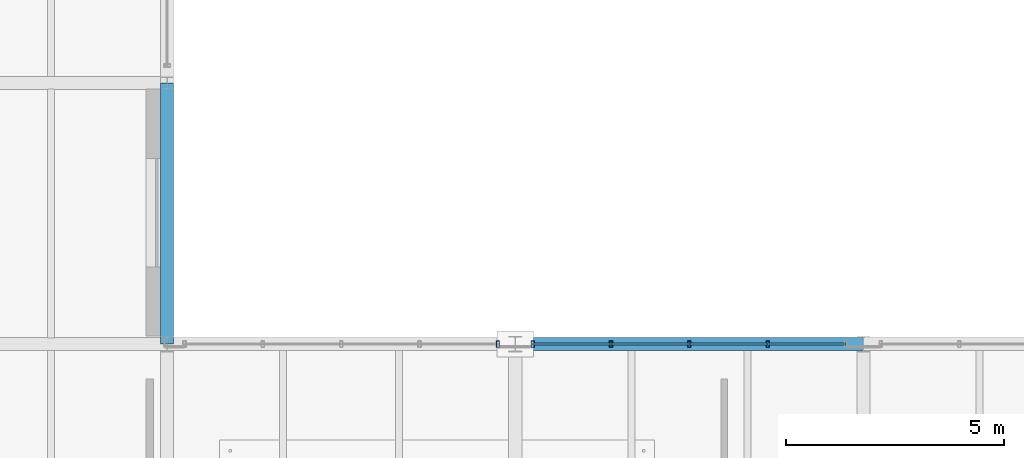
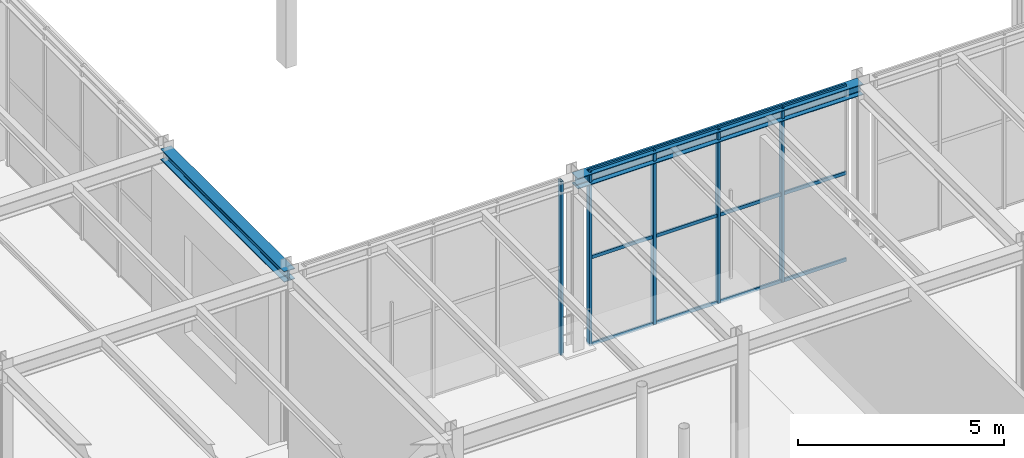
# One storey, part 36 of 129: 17 members, 2 beams, 2 elements without a shape of their own.
"""IFC4 building model written with IfcOpenShell, lengths in metres."""

import ifcopenshell
import ifcopenshell.guid

model = None  # the IFC model being written
_history = None  # IfcOwnerHistory: only IFC2X3 demands one
_inside = {}  # id of a spatial element -> (the spatial element, [elements in it])
_under = {}  # id of a project, library or spatial element -> (it, [spatial elements below it])
_declared = {}  # id of a project -> (the project, [libraries it declares])
_typed = {}  # id of a type object -> (the type object, [elements of that type])
_made_of = {}  # id of a material, layer set ... -> (it, [elements and type objects made of it])


def new_model(schema):
    """Start an empty IFC model of exactly this schema.

    Asked for "IFC4X3", IfcOpenShell would pick the latest addendum, in which some entities
    have other attributes; the version numbers below select the first issue.
    IFC2X3 requires an IfcOwnerHistory on every rooted entity: one is made here for all.
    """
    global model, _history
    if schema == "IFC4X3":
        model = ifcopenshell.file(schema_version=(4, 3, 0, 0))
    else:
        model = ifcopenshell.file(schema=schema)
    _inside.clear()
    _under.clear()
    _declared.clear()
    _typed.clear()
    _made_of.clear()
    _history = None
    if model.schema == "IFC2X3":
        org = make("IfcOrganization", Name="unknown")
        user = make(
            "IfcPersonAndOrganization",
            ThePerson=make("IfcPerson", FamilyName="unknown"),
            TheOrganization=org,
        )
        app = make(
            "IfcApplication",
            ApplicationDeveloper=org,
            Version="unknown",
            ApplicationFullName="unknown",
            ApplicationIdentifier="unknown",
        )
        _history = make(
            "IfcOwnerHistory",
            OwningUser=user,
            OwningApplication=app,
            ChangeAction="ADDED",
            CreationDate=0,
        )
    return model


def make(cls, **values):
    """One entity of the class cls with the attributes given. An attribute that is None is left unset."""
    return model.create_entity(
        cls, **{name: value for name, value in values.items() if value is not None}
    )


def rooted(cls, **values):
    """An entity with a GlobalId (a new one), such as an element, a storey or a relation."""
    return make(cls, GlobalId=ifcopenshell.guid.new(), OwnerHistory=_history, **values)


def si_unit(unit_type, name, prefix=None):
    """IfcSIUnit, for example si_unit("LENGTHUNIT", "METRE", prefix="MILLI")."""
    return make("IfcSIUnit", UnitType=unit_type, Prefix=prefix, Name=name)


def assignment(units):
    """IfcUnitAssignment: the units of a project."""
    return None if units is None else make("IfcUnitAssignment", Units=units)


def point(xyz):
    """IfcCartesianPoint."""
    return None if xyz is None else make("IfcCartesianPoint", Coordinates=xyz)


def direction(xyz):
    """IfcDirection."""
    return None if xyz is None else make("IfcDirection", DirectionRatios=xyz)


def frame(location, z_axis=None, x_axis=None):
    """IfcAxis2Placement3D, a coordinate frame: its origin and axes. An axis left out is left unset."""
    return make(
        "IfcAxis2Placement3D",
        Location=point(location),
        Axis=direction(z_axis),
        RefDirection=direction(x_axis),
    )


def frame_2d(location, x_axis=None):
    """IfcAxis2Placement2D, a coordinate frame in the plane: its origin and x axis."""
    return make(
        "IfcAxis2Placement2D", Location=point(location), RefDirection=direction(x_axis)
    )


def origin():
    """The frame at (0, 0, 0) with its axes left unset."""
    return frame((0.0, 0.0, 0.0))


def origin_2d():
    """The frame at (0, 0) in the plane with its x axis left unset."""
    return frame_2d((0.0, 0.0))


def place(relative_to, where):
    """IfcLocalPlacement: puts the frame where relative to a parent placement (None: the world)."""
    return make(
        "IfcLocalPlacement", PlacementRelTo=relative_to, RelativePlacement=where
    )


def context(
    kind, dimensions, precision=None, world=None, true_north=None, identifier=None
):
    """IfcGeometricRepresentationContext, for example the 3D "Model" context."""
    return make(
        "IfcGeometricRepresentationContext",
        ContextIdentifier=identifier,
        ContextType=kind,
        CoordinateSpaceDimension=dimensions,
        Precision=precision,
        WorldCoordinateSystem=world,
        TrueNorth=true_north,
    )


def subcontext(parent, identifier, kind, view, scale=None):
    """IfcGeometricRepresentationSubContext, for example "Body" below "Model"."""
    return make(
        "IfcGeometricRepresentationSubContext",
        ContextIdentifier=identifier,
        ContextType=kind,
        ParentContext=parent,
        TargetScale=scale,
        TargetView=view,
    )


def project(units=None, contexts=None):
    """IfcProject with its units and contexts."""
    return rooted(
        "IfcProject",
        Name="project",
        RepresentationContexts=contexts,
        UnitsInContext=assignment(units),
    )


def spatial(cls, under=None, at=None, **own):
    """A site, building, storey or space (cls), placed at a placement, below another one or the project."""
    s = rooted(cls, ObjectPlacement=at, **own)
    if under is not None:
        _under.setdefault(under.id(), (under, []))[1].append(s)
    return s


def profile(cls, at=None, kind="AREA", **sizes):
    """A parametric profile (cls). Its sizes go by their IFC names, for example OverallWidth=200.0."""
    return make(cls, ProfileType=kind, Position=at, **sizes)


def hollow_rectangle(**sizes):
    """IfcRectangleHollowProfileDef."""
    return profile("IfcRectangleHollowProfileDef", **sizes)


def i_section(**sizes):
    """IfcIShapeProfileDef."""
    return profile("IfcIShapeProfileDef", **sizes)


def extrude(swept, where, along, depth):
    """IfcExtrudedAreaSolid: the profile swept, set in the frame where, extruded along a direction by depth."""
    return make(
        "IfcExtrudedAreaSolid",
        SweptArea=swept,
        Position=where,
        ExtrudedDirection=direction(along),
        Depth=depth,
    )


def shape(context_of_items, identifier, shape_type, items):
    """IfcShapeRepresentation: the items that make up one representation, for example the "Body"."""
    return make(
        "IfcShapeRepresentation",
        ContextOfItems=context_of_items,
        RepresentationIdentifier=identifier,
        RepresentationType=shape_type,
        Items=items,
    )


def material(Name=None, Category=None):
    """IfcMaterial."""
    return make("IfcMaterial", Name=Name, Category=Category)


def material_profile(
    of_material, cross_section, Name=None, Category=None, Priority=None
):
    """IfcMaterialProfile: a cross section and its material."""
    return make(
        "IfcMaterialProfile",
        Name=Name,
        Material=of_material,
        Profile=cross_section,
        Priority=Priority,
        Category=Category,
    )


def profile_set(profiles, Name=None, composite=None):
    """IfcMaterialProfileSet."""
    return make(
        "IfcMaterialProfileSet",
        Name=Name,
        MaterialProfiles=profiles,
        CompositeProfile=composite,
    )


def made_of(thing, what):
    """Note that an element or type object is made of a material, layer set ...; save() writes the relation."""
    if what is not None:
        _made_of.setdefault(what.id(), (what, []))[1].append(thing)
    return thing


def type_object(cls, material=None, **own):
    """A type object (cls), such as IfcWallType, which elements share."""
    return made_of(rooted(cls, **own), material)


def element(
    cls,
    number,
    at=None,
    inside=None,
    cuts=None,
    type_object=None,
    material=None,
    context=None,
    identifier="Body",
    shape_type=None,
    held_by="IfcProductDefinitionShape",
    body=None,
    shapes=None,
    **own,
):
    """One element of the class cls, such as IfcWall. Its Tag is "e" and its number.

    at: its placement. inside: the storey or other place that contains it. cuts: it is an
    opening in that element (IfcRelVoidsElement). A single representation is given by context,
    identifier, shape_type and body (its items); several are given by shapes. held_by: the class
    of the entity that holds the representations. save() writes the other relations.
    """
    e = rooted(cls, Tag="e%d" % number, ObjectPlacement=at, **own)
    if body is not None:
        shapes = [shape(context, identifier, shape_type, body)]
    if shapes is not None:
        e.Representation = make(held_by, Representations=shapes)
    if inside is not None:
        _inside.setdefault(inside.id(), (inside, []))[1].append(e)
    if cuts is not None:
        rooted(
            "IfcRelVoidsElement", RelatingBuildingElement=cuts, RelatedOpeningElement=e
        )
    if type_object is not None:
        _typed.setdefault(type_object.id(), (type_object, []))[1].append(e)
    return made_of(e, material)


def aggregate(whole, parts):
    """IfcRelAggregates: a whole, such as a stair, and the parts it consists of."""
    return rooted("IfcRelAggregates", RelatingObject=whole, RelatedObjects=parts)


def save(model, path):
    """Write the relations noted so far, then the file.

    IfcRelAggregates (storeys below a building ...), IfcRelContainedInSpatialStructure (elements
    in a storey), IfcRelDefinesByType, IfcRelAssociatesMaterial and IfcRelDeclares: one each for
    every whole, place, type object, material and project.
    """
    for whole, parts in _under.values():
        aggregate(whole, parts)
    for where, things in _inside.values():
        rooted(
            "IfcRelContainedInSpatialStructure",
            RelatedElements=things,
            RelatingStructure=where,
        )
    for kind, things in _typed.values():
        rooted("IfcRelDefinesByType", RelatedObjects=things, RelatingType=kind)
    for what, things in _made_of.values():
        rooted("IfcRelAssociatesMaterial", RelatedObjects=things, RelatingMaterial=what)
    for by, libraries in _declared.values():
        rooted("IfcRelDeclares", RelatingContext=by, RelatedDefinitions=libraries)
    model.write(path)


model = new_model("IFC4")

# Units and contexts
model_context = context("Model", 3, precision=1e-05, world=origin(), true_north=direction((0.0, 1.0)))
body_context = subcontext(model_context, "Body", "Model", "MODEL_VIEW")
ifc_project = project(units=[si_unit("LENGTHUNIT", "METRE"), si_unit("AREAUNIT", "SQUARE_METRE"), si_unit("VOLUMEUNIT", "CUBIC_METRE"), si_unit("PLANEANGLEUNIT", "RADIAN"), si_unit("MASSUNIT", "GRAM", prefix="KILO")], contexts=[model_context])

# Site, building, storey
site_placement = place(None, origin())
site = spatial("IfcSite", under=ifc_project, at=site_placement, CompositionType="ELEMENT")
building_placement = place(site_placement, origin())
building = spatial("IfcBuilding", under=site, at=building_placement, Name="Sundkrona Museum", CompositionType="ELEMENT")
storey_placement = place(building_placement, origin())
storey = spatial("IfcBuildingStorey", under=building, at=storey_placement, Name="L00", CompositionType="ELEMENT", Elevation=0.0)

# Curtain wall, member
ifc_material_1 = material(Name="Unitised Aluminium-Steel and Ceramic-Clad Curtain Walling", Category="steel")
curtain_wall_type = type_object("IfcCurtainWallType", Name="CW-AT-72x50", PredefinedType="NOTDEFINED", material=ifc_material_1)
curtain_wall_1_placement = place(storey_placement, origin())
curtain_wall_1 = element("IfcCurtainWall", 1, at=curtain_wall_1_placement, inside=storey, type_object=curtain_wall_type, Name="L00 Curtain Wall CW-L00-025", PredefinedType="NOTDEFINED")
ifc_material_2 = material(Name="Aluminium EN AW-6060 T66", Category="aluminium")
ifc_material_profile_1 = material_profile(ifc_material_2, hollow_rectangle(XDim=0.074951171875, YDim=0.14990234375, WallThickness=0.00634765625, at=origin_2d()), Name="RHS 150x75x6.3")
ifc_profile_set_1 = profile_set([ifc_material_profile_1], Name="Aluminium EN AW-6060 T66")
member_type_1 = type_object("IfcMemberType", Name="ML-150", PredefinedType="MULLION", material=ifc_profile_set_1)
member_1_placement = place(storey_placement, frame((103.60009765625, 40.0, -0.00390625), z_axis=(0.0, 0.0, 1.0), x_axis=(1.0, 0.0, 0.0)))
member_1 = element("IfcMember", 2, at=member_1_placement, type_object=member_type_1, Name="CW-L00-025 Mullion 05", PredefinedType="MULLION", context=body_context, shape_type="SweptSolid", body=[
    extrude(hollow_rectangle(XDim=0.074951171875, YDim=0.14990234375, WallThickness=0.00634765625, at=origin_2d()), origin(), (0.0, 0.0, 1.0), 5.14794921875),
])
aggregate(curtain_wall_1, [member_1])

# Curtain wall, members
curtain_wall_2_placement = place(storey_placement, origin())
curtain_wall_2 = element("IfcCurtainWall", 3, at=curtain_wall_2_placement, inside=storey, type_object=curtain_wall_type, Name="L00 Curtain Wall CW-L00-026", PredefinedType="NOTDEFINED")
member_2_placement = place(storey_placement, frame((104.39990234375, 40.0, -0.00390625), z_axis=(0.0, 0.0, 1.0), x_axis=(1.0, 0.0, 0.0)))
member_2 = element("IfcMember", 4, at=member_2_placement, type_object=member_type_1, Name="CW-L00-026 Mullion 01", PredefinedType="MULLION", context=body_context, shape_type="SweptSolid", body=[
    extrude(hollow_rectangle(XDim=0.074951171875, YDim=0.14990234375, WallThickness=0.00634765625, at=origin_2d()), origin(), (0.0, 0.0, 1.0), 5.14794921875),
])
member_3_placement = place(storey_placement, frame((106.199951171875, 40.0, -0.00390625), z_axis=(0.0, 0.0, 1.0), x_axis=(1.0, 0.0, 0.0)))
member_3 = element("IfcMember", 5, at=member_3_placement, type_object=member_type_1, Name="CW-L00-026 Mullion 02", PredefinedType="MULLION", context=body_context, shape_type="SweptSolid", body=[
    extrude(hollow_rectangle(XDim=0.074951171875, YDim=0.14990234375, WallThickness=0.00634765625, at=origin_2d()), origin(), (0.0, 0.0, 1.0), 5.14794921875),
])
member_4_placement = place(storey_placement, frame((108.0, 40.0, -0.00390625), z_axis=(0.0, 0.0, 1.0), x_axis=(1.0, 0.0, 0.0)))
member_4 = element("IfcMember", 6, at=member_4_placement, type_object=member_type_1, Name="CW-L00-026 Mullion 03", PredefinedType="MULLION", context=body_context, shape_type="SweptSolid", body=[
    extrude(hollow_rectangle(XDim=0.074951171875, YDim=0.14990234375, WallThickness=0.00634765625, at=origin_2d()), origin(), (0.0, 0.0, 1.0), 5.14794921875),
])
member_5_placement = place(storey_placement, frame((109.800048828125, 40.0, -0.00390625), z_axis=(0.0, 0.0, 1.0), x_axis=(1.0, 0.0, 0.0)))
member_5 = element("IfcMember", 7, at=member_5_placement, type_object=member_type_1, Name="CW-L00-026 Mullion 04", PredefinedType="MULLION", context=body_context, shape_type="SweptSolid", body=[
    extrude(hollow_rectangle(XDim=0.074951171875, YDim=0.14990234375, WallThickness=0.00634765625, at=origin_2d()), origin(), (0.0, 0.0, 1.0), 5.14794921875),
])

# Beams
ifc_material_3 = material(Name="Steel S355J2", Category="steel")
ifc_material_profile_2 = material_profile(ifc_material_3, i_section(OverallWidth=0.300048828125, OverallDepth=0.320068359375, WebThickness=0.011474609375, FlangeThickness=0.0205078125, FilletRadius=0.027099609375, at=origin_2d()), Name="HEB 320")
ifc_profile_set_2 = profile_set([ifc_material_profile_2], Name="Steel S355J2")
beam_type = type_object("IfcBeamType", Name="SP-HEB320", PredefinedType="SPANDREL", material=ifc_profile_set_2)
beam_1_placement = place(storey_placement, frame((104.0, 40.0, 4.97998046875), z_axis=(1.0, 0.0, 0.0), x_axis=(0.0, 1.0, 0.0)))
element("IfcBeam", 8, at=beam_1_placement, inside=storey, type_object=beam_type, Name="L00 Girder X-0473", PredefinedType="SPANDREL", context=body_context, shape_type="SweptSolid", body=[
    extrude(i_section(OverallWidth=0.300048828125, OverallDepth=0.320068359375, WebThickness=0.011474609375, FlangeThickness=0.0205078125, FilletRadius=0.027099609375, at=origin_2d()), origin(), (0.0, 0.0, 1.0), 8.0),
])
beam_2_placement = place(storey_placement, frame((96.0, 40.0, 4.97998046875), z_axis=(0.0, 1.0, 0.0), x_axis=(-1.0, 0.0, 0.0)))
element("IfcBeam", 9, at=beam_2_placement, inside=storey, type_object=beam_type, Name="L00 Girder Y-0701", PredefinedType="SPANDREL", context=body_context, shape_type="SweptSolid", body=[
    extrude(i_section(OverallWidth=0.300048828125, OverallDepth=0.320068359375, WebThickness=0.011474609375, FlangeThickness=0.0205078125, FilletRadius=0.027099609375, at=origin_2d()), origin(), (0.0, 0.0, 1.0), 6.0),
])

# Member
ifc_material_profile_3 = material_profile(ifc_material_2, hollow_rectangle(XDim=0.050048828125, YDim=0.10009765625, WallThickness=0.0048828125, at=origin_2d()), Name="RHS 100x50x5.0")
ifc_profile_set_3 = profile_set([ifc_material_profile_3], Name="Aluminium EN AW-6060 T66")
member_type_2 = type_object("IfcMemberType", Name="TR-100", PredefinedType="USERDEFINED", material=ifc_profile_set_3)
member_6_placement = place(storey_placement, frame((104.39990234375, 40.0, -0.00390625), z_axis=(1.0, 0.0, 0.0), x_axis=(0.0, 1.0, 0.0)))
member_6 = element("IfcMember", 10, at=member_6_placement, type_object=member_type_2, Name="CW-L00-026 Transom 01", ObjectType="TRANSOM", PredefinedType="USERDEFINED", context=body_context, shape_type="SweptSolid", body=[
    extrude(hollow_rectangle(XDim=0.050048828125, YDim=0.10009765625, WallThickness=0.0048828125, at=origin_2d()), origin(), (0.0, 0.0, 1.0), 1.800048828125),
])

member_7_placement = place(storey_placement, frame((104.39990234375, 40.0, 2.570068359375), z_axis=(1.0, 0.0, 0.0), x_axis=(0.0, 1.0, 0.0)))
member_7 = element("IfcMember", 11, at=member_7_placement, type_object=member_type_2, Name="CW-L00-026 Transom 02", ObjectType="TRANSOM", PredefinedType="USERDEFINED", context=body_context, shape_type="SweptSolid", body=[
    extrude(hollow_rectangle(XDim=0.050048828125, YDim=0.10009765625, WallThickness=0.0048828125, at=origin_2d()), origin(), (0.0, 0.0, 1.0), 1.800048828125),
])

member_8_placement = place(storey_placement, frame((104.39990234375, 40.0, 5.14404296875), z_axis=(1.0, 0.0, 0.0), x_axis=(0.0, 1.0, 0.0)))
member_8 = element("IfcMember", 12, at=member_8_placement, type_object=member_type_2, Name="CW-L00-026 Transom 03", ObjectType="TRANSOM", PredefinedType="USERDEFINED", context=body_context, shape_type="SweptSolid", body=[
    extrude(hollow_rectangle(XDim=0.050048828125, YDim=0.10009765625, WallThickness=0.0048828125, at=origin_2d()), origin(), (0.0, 0.0, 1.0), 1.800048828125),
])

member_9_placement = place(storey_placement, frame((106.199951171875, 40.0, -0.00390625), z_axis=(1.0, 0.0, 0.0), x_axis=(0.0, 1.0, 0.0)))
member_9 = element("IfcMember", 13, at=member_9_placement, type_object=member_type_2, Name="CW-L00-026 Transom 04", ObjectType="TRANSOM", PredefinedType="USERDEFINED", context=body_context, shape_type="SweptSolid", body=[
    extrude(hollow_rectangle(XDim=0.050048828125, YDim=0.10009765625, WallThickness=0.0048828125, at=origin_2d()), origin(), (0.0, 0.0, 1.0), 1.800048828125),
])

member_10_placement = place(storey_placement, frame((106.199951171875, 40.0, 2.570068359375), z_axis=(1.0, 0.0, 0.0), x_axis=(0.0, 1.0, 0.0)))
member_10 = element("IfcMember", 14, at=member_10_placement, type_object=member_type_2, Name="CW-L00-026 Transom 05", ObjectType="TRANSOM", PredefinedType="USERDEFINED", context=body_context, shape_type="SweptSolid", body=[
    extrude(hollow_rectangle(XDim=0.050048828125, YDim=0.10009765625, WallThickness=0.0048828125, at=origin_2d()), origin(), (0.0, 0.0, 1.0), 1.800048828125),
])

member_11_placement = place(storey_placement, frame((106.199951171875, 40.0, 5.14404296875), z_axis=(1.0, 0.0, 0.0), x_axis=(0.0, 1.0, 0.0)))
member_11 = element("IfcMember", 15, at=member_11_placement, type_object=member_type_2, Name="CW-L00-026 Transom 06", ObjectType="TRANSOM", PredefinedType="USERDEFINED", context=body_context, shape_type="SweptSolid", body=[
    extrude(hollow_rectangle(XDim=0.050048828125, YDim=0.10009765625, WallThickness=0.0048828125, at=origin_2d()), origin(), (0.0, 0.0, 1.0), 1.800048828125),
])

member_12_placement = place(storey_placement, frame((108.0, 40.0, -0.00390625), z_axis=(1.0, 0.0, 0.0), x_axis=(0.0, 1.0, 0.0)))
member_12 = element("IfcMember", 16, at=member_12_placement, type_object=member_type_2, Name="CW-L00-026 Transom 07", ObjectType="TRANSOM", PredefinedType="USERDEFINED", context=body_context, shape_type="SweptSolid", body=[
    extrude(hollow_rectangle(XDim=0.050048828125, YDim=0.10009765625, WallThickness=0.0048828125, at=origin_2d()), origin(), (0.0, 0.0, 1.0), 1.800048828125),
])

member_13_placement = place(storey_placement, frame((108.0, 40.0, 2.570068359375), z_axis=(1.0, 0.0, 0.0), x_axis=(0.0, 1.0, 0.0)))
member_13 = element("IfcMember", 17, at=member_13_placement, type_object=member_type_2, Name="CW-L00-026 Transom 08", ObjectType="TRANSOM", PredefinedType="USERDEFINED", context=body_context, shape_type="SweptSolid", body=[
    extrude(hollow_rectangle(XDim=0.050048828125, YDim=0.10009765625, WallThickness=0.0048828125, at=origin_2d()), origin(), (0.0, 0.0, 1.0), 1.800048828125),
])

member_14_placement = place(storey_placement, frame((108.0, 40.0, 5.14404296875), z_axis=(1.0, 0.0, 0.0), x_axis=(0.0, 1.0, 0.0)))
member_14 = element("IfcMember", 18, at=member_14_placement, type_object=member_type_2, Name="CW-L00-026 Transom 09", ObjectType="TRANSOM", PredefinedType="USERDEFINED", context=body_context, shape_type="SweptSolid", body=[
    extrude(hollow_rectangle(XDim=0.050048828125, YDim=0.10009765625, WallThickness=0.0048828125, at=origin_2d()), origin(), (0.0, 0.0, 1.0), 1.800048828125),
])

member_15_placement = place(storey_placement, frame((109.800048828125, 40.0, -0.00390625), z_axis=(1.0, 0.0, 0.0), x_axis=(0.0, 1.0, 0.0)))
member_15 = element("IfcMember", 19, at=member_15_placement, type_object=member_type_2, Name="CW-L00-026 Transom 10", ObjectType="TRANSOM", PredefinedType="USERDEFINED", context=body_context, shape_type="SweptSolid", body=[
    extrude(hollow_rectangle(XDim=0.050048828125, YDim=0.10009765625, WallThickness=0.0048828125, at=origin_2d()), origin(), (0.0, 0.0, 1.0), 1.800048828125),
])

member_16_placement = place(storey_placement, frame((109.800048828125, 40.0, 2.570068359375), z_axis=(1.0, 0.0, 0.0), x_axis=(0.0, 1.0, 0.0)))
member_16 = element("IfcMember", 20, at=member_16_placement, type_object=member_type_2, Name="CW-L00-026 Transom 11", ObjectType="TRANSOM", PredefinedType="USERDEFINED", context=body_context, shape_type="SweptSolid", body=[
    extrude(hollow_rectangle(XDim=0.050048828125, YDim=0.10009765625, WallThickness=0.0048828125, at=origin_2d()), origin(), (0.0, 0.0, 1.0), 1.800048828125),
])

member_17_placement = place(storey_placement, frame((109.800048828125, 40.0, 5.14404296875), z_axis=(1.0, 0.0, 0.0), x_axis=(0.0, 1.0, 0.0)))
member_17 = element("IfcMember", 21, at=member_17_placement, type_object=member_type_2, Name="CW-L00-026 Transom 12", ObjectType="TRANSOM", PredefinedType="USERDEFINED", context=body_context, shape_type="SweptSolid", body=[
    extrude(hollow_rectangle(XDim=0.050048828125, YDim=0.10009765625, WallThickness=0.0048828125, at=origin_2d()), origin(), (0.0, 0.0, 1.0), 1.800048828125),
])

aggregate(curtain_wall_2, [member_2, member_3, member_4, member_5, member_6, member_7, member_8, member_9, member_10, member_11, member_12, member_13, member_14, member_15, member_16, member_17])

save(model, "model.ifc")
